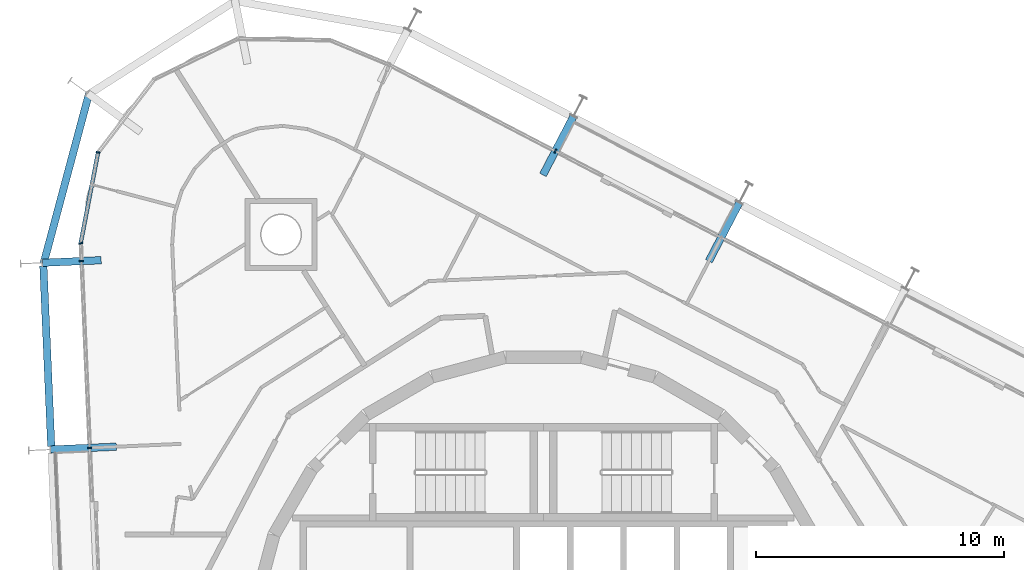
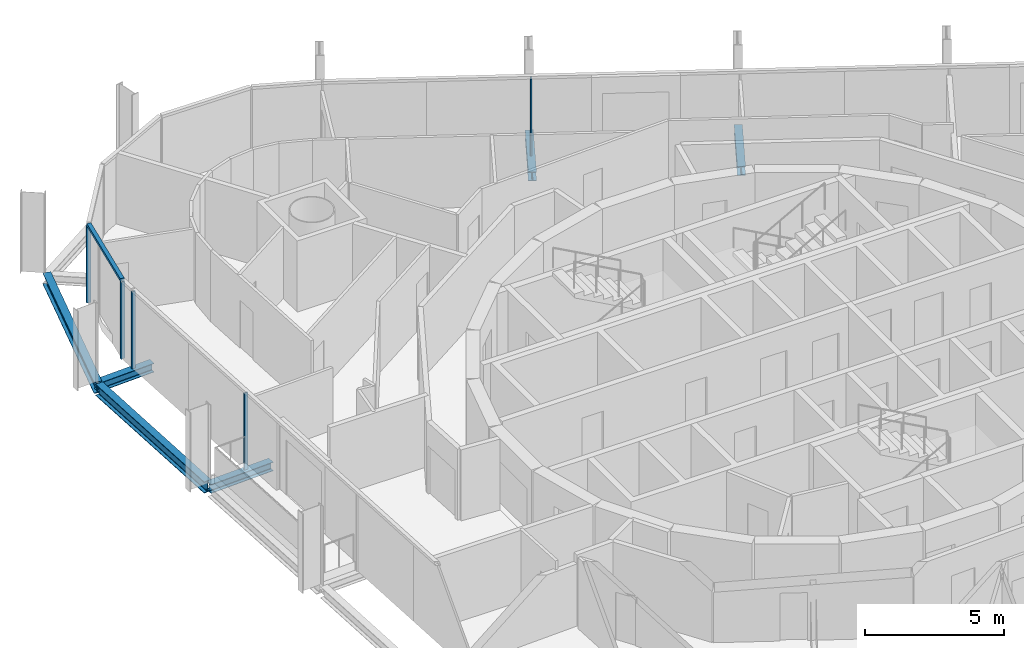
# One storey, part 6 of 18: 6 beams, 6 members, 3 elements without a shape of their own.
"""IFC4 building model written with IfcOpenShell, lengths in metres."""

from ifc_helpers import new_model, si_unit, direction, frame, origin, origin_2d, place, context, subcontext, project, spatial, rectangle, i_section, extrude, material, layer, layer_set, material_profile, profile_set, type_object, element, aggregate, save


model = new_model("IFC4")

# Units and contexts
model_context = context("Model", 3, precision=1e-05, world=origin(), true_north=direction((0.0, 1.0)))
body_context = subcontext(model_context, "Body", "Model", "MODEL_VIEW")
ifc_project = project(units=[si_unit("LENGTHUNIT", "METRE"), si_unit("AREAUNIT", "SQUARE_METRE"), si_unit("VOLUMEUNIT", "CUBIC_METRE"), si_unit("PLANEANGLEUNIT", "RADIAN"), si_unit("MASSUNIT", "GRAM", prefix="KILO")], contexts=[model_context])

# Site, building, storey
site_placement = place(None, origin())
site = spatial("IfcSite", under=ifc_project, at=site_placement, CompositionType="ELEMENT")
building_placement = place(site_placement, origin())
building = spatial("IfcBuilding", under=site, at=building_placement, Name="Spindle Arch Residences", CompositionType="ELEMENT")
storey_placement = place(building_placement, frame((0.0, 0.0, 230.199951171875)))
storey = spatial("IfcBuildingStorey", under=building, at=storey_placement, Name="L58", CompositionType="ELEMENT", Elevation=230.199951171875)

# Curtain wall, member
ifc_material_1 = material(Name="Aluminium bronze unitised frame with tinted glass", Category="aluminium")
ifc_layer_1 = layer(ifc_material_1, 0.159912109375)
ifc_layer_set_1 = layer_set([ifc_layer_1], Name="CW-C typical residential unitised wall")
curtain_wall_type_1 = type_object("IfcCurtainWallType", Name="CW-C typical residential unitised wall", PredefinedType="NOTDEFINED", material=ifc_layer_set_1)
curtain_wall_1_placement = place(storey_placement, origin())
curtain_wall_1 = element("IfcCurtainWall", 1, at=curtain_wall_1_placement, inside=storey, type_object=curtain_wall_type_1, Name="CW-C L58 run 2", PredefinedType="NOTDEFINED")
ifc_material_2 = material(Name="Aluminium bronze anodised mullion", Category="aluminium")
ifc_material_profile_1 = material_profile(ifc_material_2, rectangle(XDim=0.159912109375, YDim=0.06005859375, at=origin_2d()), Name="MU 60x160")
ifc_profile_set_1 = profile_set([ifc_material_profile_1], Name="Aluminium bronze anodised mullion")
member_type_1 = type_object("IfcMemberType", Name="Bronze mullion 60x160", PredefinedType="MULLION", material=ifc_profile_set_1)
member_1_placement = place(storey_placement, frame((0.4794921875, 19.94677734375, -0.3798828125), z_axis=(0.0, 0.0, 1.0), x_axis=(-0.461748613235, -0.887010833178, 0.0)))
member_1 = element("IfcMember", 2, at=member_1_placement, type_object=member_type_1, Name="CW-C mullion 08", PredefinedType="MULLION", context=body_context, shape_type="SweptSolid", body=[
    extrude(rectangle(XDim=0.159912109375, YDim=0.06005859375, at=origin_2d()), origin(), (0.0, 0.0, 1.0), 3.3798828125),
])
aggregate(curtain_wall_1, [member_1])

# Curtain wall, members
ifc_material_3 = material(Name="Aluminium bronze unitised frame with tinted glass", Category="aluminium")
ifc_layer_2 = layer(ifc_material_3, 0.159912109375)
ifc_layer_set_2 = layer_set([ifc_layer_2], Name="CW-D corner wall on the fillet arcs")
curtain_wall_type_2 = type_object("IfcCurtainWallType", Name="CW-D corner wall on the fillet arcs", PredefinedType="NOTDEFINED", material=ifc_layer_set_2)
curtain_wall_2_placement = place(storey_placement, origin())
curtain_wall_2 = element("IfcCurtainWall", 3, at=curtain_wall_2_placement, inside=storey, type_object=curtain_wall_type_2, Name="CW-D L58 run 3", PredefinedType="NOTDEFINED")
member_2_placement = place(storey_placement, frame((-17.93994140625, 19.896240234375, -0.3798828125), z_axis=(0.0, 0.0, 1.0), x_axis=(0.982178070104, -0.187952756314, 0.0)))
member_2 = element("IfcMember", 4, at=member_2_placement, type_object=member_type_1, Name="CW-D mullion 04", PredefinedType="MULLION", context=body_context, shape_type="SweptSolid", body=[
    extrude(rectangle(XDim=0.159912109375, YDim=0.06005859375, at=origin_2d()), origin(), (0.0, 0.0, 1.0), 3.3798828125),
])
member_3_placement = place(storey_placement, frame((-18.640380859375, 16.236083984375, -0.3798828125), z_axis=(0.0, 0.0, 1.0), x_axis=(0.999048221582, 0.043619387365, 0.0)))
member_3 = element("IfcMember", 5, at=member_3_placement, type_object=member_type_1, Name="CW-D mullion 05", PredefinedType="MULLION", context=body_context, shape_type="SweptSolid", body=[
    extrude(rectangle(XDim=0.159912109375, YDim=0.06005859375, at=origin_2d()), origin(), (0.0, 0.0, 1.0), 3.3798828125),
])

curtain_wall_3_placement = place(storey_placement, origin())
curtain_wall_3 = element("IfcCurtainWall", 6, at=curtain_wall_3_placement, inside=storey, type_object=curtain_wall_type_1, Name="CW-C L58 run 4", PredefinedType="NOTDEFINED")
member_4_placement = place(storey_placement, frame((-18.60888671875, 15.518310546875, -0.3798828125), z_axis=(0.0, 0.0, 1.0), x_axis=(0.999048221582, 0.043619387365, 0.0)))
member_4 = element("IfcMember", 7, at=member_4_placement, type_object=member_type_1, Name="CW-C mullion 12", PredefinedType="MULLION", context=body_context, shape_type="SweptSolid", body=[
    extrude(rectangle(XDim=0.159912109375, YDim=0.06005859375, at=origin_2d()), origin(), (0.0, 0.0, 1.0), 3.3798828125),
])
member_5_placement = place(storey_placement, frame((-18.280517578125, 7.995361328125, -0.3798828125), z_axis=(0.0, 0.0, 1.0), x_axis=(0.999048221582, 0.043619387365, 0.0)))
member_5 = element("IfcMember", 8, at=member_5_placement, type_object=member_type_1, Name="CW-C mullion 13", PredefinedType="MULLION", context=body_context, shape_type="SweptSolid", body=[
    extrude(rectangle(XDim=0.159912109375, YDim=0.06005859375, at=origin_2d()), origin(), (0.0, 0.0, 1.0), 3.3798828125),
])
aggregate(curtain_wall_3, [member_4, member_5])

# Member
ifc_material_4 = material(Name="Aluminium bronze anodised transom", Category="aluminium")
ifc_material_profile_2 = material_profile(ifc_material_4, rectangle(XDim=0.159912109375, YDim=0.1201171875, at=origin_2d()), Name="TR 120x160")
ifc_profile_set_2 = profile_set([ifc_material_profile_2], Name="Aluminium bronze anodised transom")
member_type_2 = type_object("IfcMemberType", Name="Bronze transom 120x160", PredefinedType="USERDEFINED", material=ifc_profile_set_2)
member_6_placement = place(storey_placement, frame((-17.945556640625, 19.866943359375, 3.06005859375), z_axis=(-0.187953386096, -0.982177949587, 0.0), x_axis=(0.982177949587, -0.187953386096, 0.0)))
member_6 = element("IfcMember", 9, at=member_6_placement, type_object=member_type_2, Name="CW-D transom 04", ObjectType="TRANSOM", PredefinedType="USERDEFINED", context=body_context, shape_type="SweptSolid", body=[
    extrude(rectangle(XDim=0.159912109375, YDim=0.1201171875, at=origin_2d()), origin(), (0.0, 0.0, 1.0), 3.6669921875),
])

aggregate(curtain_wall_2, [member_2, member_6, member_3])

# Beams
ifc_material_5 = material(Name="Steel S460ML, intumescent coating R 120", Category="steel")
ifc_material_profile_3 = material_profile(ifc_material_5, i_section(OverallWidth=0.300048828125, OverallDepth=0.5, WebThickness=0.014404296875, FlangeThickness=0.028076171875, FilletRadius=0.027099609375, at=origin_2d()), Name="HEB 500")
ifc_profile_set_3 = profile_set([ifc_material_profile_3], Name="Steel S460ML, intumescent coating R 120")
beam_type_1 = type_object("IfcBeamType", Name="Exoskeleton edge beam HEB 500", PredefinedType="BEAM", material=ifc_profile_set_3)
beam_1_placement = place(storey_placement, frame((-18.298583984375, 22.28076171875, -0.6298828125), z_axis=(-0.25832557076, -0.966057917255, 0.0), x_axis=(0.966057917255, -0.25832557076, 0.0)))
element("IfcBeam", 10, at=beam_1_placement, inside=storey, type_object=beam_type_1, Name="Exoskeleton edge beam 12", PredefinedType="BEAM", context=body_context, shape_type="SweptSolid", body=[
    extrude(i_section(OverallWidth=0.300048828125, OverallDepth=0.5, WebThickness=0.014404296875, FlangeThickness=0.028076171875, FilletRadius=0.027099609375, at=origin_2d()), origin(), (0.0, 0.0, 1.0), 7.105224609375),
])
beam_2_placement = place(storey_placement, frame((-20.141845703125, 15.3212890625, -0.6298828125), z_axis=(0.043622301665, -0.999048094337, 0.0), x_axis=(0.999048094337, 0.043622301665, 0.0)))
element("IfcBeam", 11, at=beam_2_placement, inside=storey, type_object=beam_type_1, Name="Exoskeleton edge beam 13", PredefinedType="BEAM", context=body_context, shape_type="SweptSolid", body=[
    extrude(i_section(OverallWidth=0.300048828125, OverallDepth=0.5, WebThickness=0.014404296875, FlangeThickness=0.028076171875, FilletRadius=0.027099609375, at=origin_2d()), origin(), (0.0, 0.0, 1.0), 7.27001953125),
])
ifc_material_6 = material(Name="Steel S460ML, intumescent coating R 120", Category="steel")
ifc_material_profile_4 = material_profile(ifc_material_6, i_section(OverallWidth=0.300048828125, OverallDepth=0.389892578125, WebThickness=0.010986328125, FlangeThickness=0.01904296875, FilletRadius=0.027099609375, at=origin_2d()), Name="HEA 400")
ifc_profile_set_4 = profile_set([ifc_material_profile_4], Name="Steel S460ML, intumescent coating R 120")
beam_type_2 = type_object("IfcBeamType", Name="Floor outrigger HEA 400", PredefinedType="BEAM", material=ifc_profile_set_4)
for number, where, z_axis, x_axis, name in (
    (12, (7.883544921875, 17.8623046875, -0.574951171875), (-0.461747195222, -0.887011571348, 0.0), (0.887011571348, -0.461747195222, 0.0), "Floor outrigger 8"),
    (13, (1.204345703125, 21.33935546875, -0.574951171875), (-0.461747195222, -0.887011571348, 0.0), (0.887011571348, -0.461747195222, 0.0), "Floor outrigger 9"),
):
    element("IfcBeam", number, at=place(storey_placement, frame(where, z_axis=z_axis, x_axis=x_axis)), inside=storey, type_object=beam_type_2, Name=name, PredefinedType="BEAM", context=body_context, shape_type="SweptSolid", body=[
        extrude(i_section(OverallWidth=0.300048828125, OverallDepth=0.389892578125, WebThickness=0.010986328125, FlangeThickness=0.01904296875, FilletRadius=0.027099609375, at=origin_2d()), origin(), (0.0, 0.0, 1.0), 2.64990234375),
    ])
beam_3_placement = place(storey_placement, frame((-20.177490234375, 15.44970703125, -0.574951171875), z_axis=(0.999047575201, 0.043634189397, 0.0), x_axis=(-0.043634189397, 0.999047575201, 0.0)))
element("IfcBeam", 14, at=beam_3_placement, inside=storey, type_object=beam_type_2, Name="Floor outrigger 13", PredefinedType="BEAM", context=body_context, shape_type="SweptSolid", body=[
    extrude(i_section(OverallWidth=0.300048828125, OverallDepth=0.389892578125, WebThickness=0.010986328125, FlangeThickness=0.01904296875, FilletRadius=0.027099609375, at=origin_2d()), origin(), (0.0, 0.0, 1.0), 2.36669921875),
])
beam_4_placement = place(storey_placement, frame((-19.84912109375, 7.9267578125, -0.574951171875), z_axis=(0.999046049411, 0.043669109869, 0.0), x_axis=(-0.043669109869, 0.999046049411, 0.0)))
element("IfcBeam", 15, at=beam_4_placement, inside=storey, type_object=beam_type_2, Name="Floor outrigger 14", PredefinedType="BEAM", context=body_context, shape_type="SweptSolid", body=[
    extrude(i_section(OverallWidth=0.300048828125, OverallDepth=0.389892578125, WebThickness=0.010986328125, FlangeThickness=0.01904296875, FilletRadius=0.027099609375, at=origin_2d()), origin(), (0.0, 0.0, 1.0), 2.64990234375),
])

save(model, "model.ifc")
